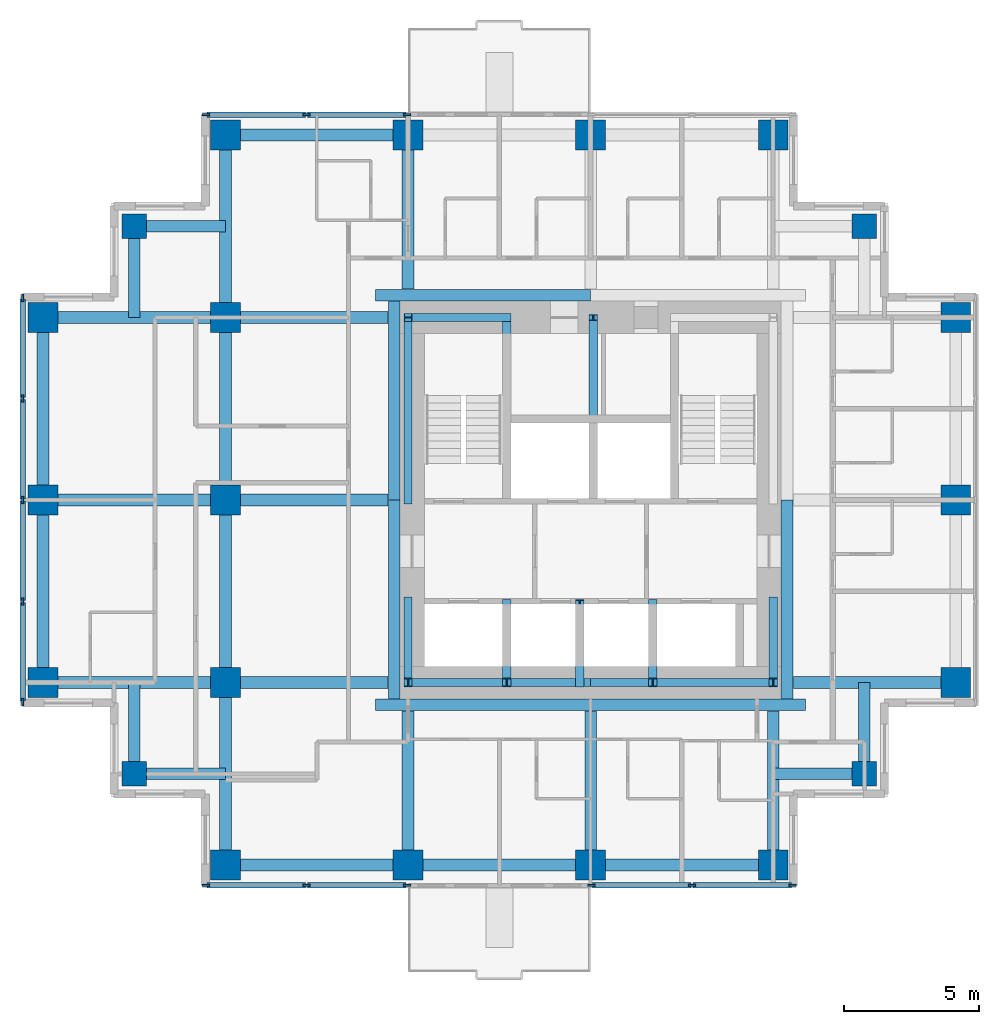
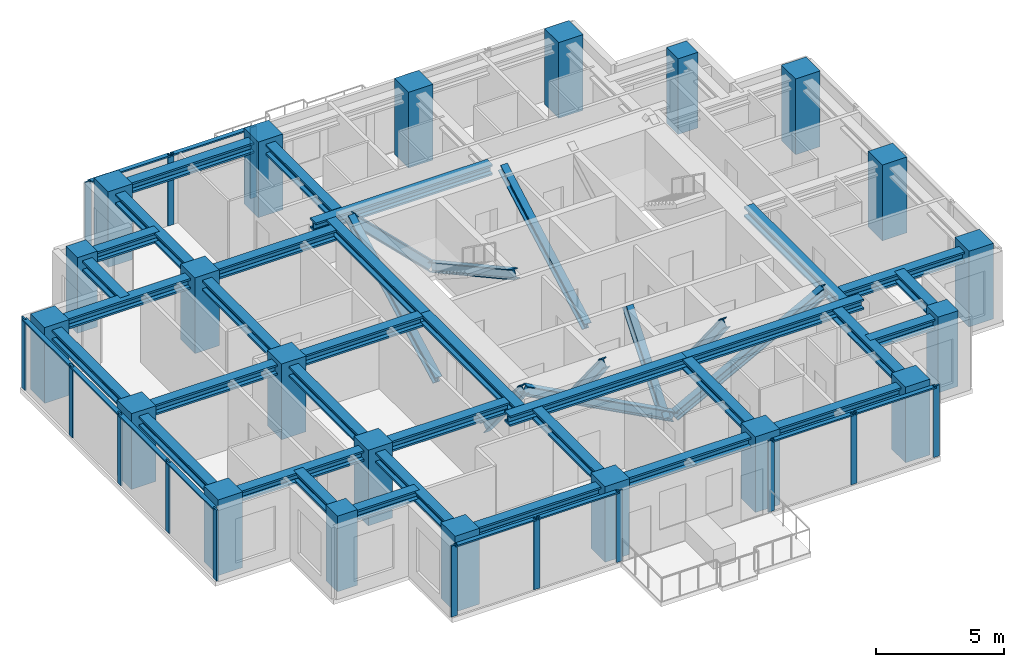
# One storey, part 1 of 8: 35 members, 33 beams, 21 columns, 4 elements without a shape of their own.
"""IFC4 building model written with IfcOpenShell, lengths in metres."""

from ifc_helpers import new_model, si_unit, direction, frame, origin, origin_2d, place, context, subcontext, project, spatial, rectangle, i_section, extrude, material, material_profile, profile_set, type_object, element, aggregate, save


model = new_model("IFC4")

# Units and contexts
model_context = context("Model", 3, precision=1e-05, world=origin(), true_north=direction((0.0, 1.0)))
body_context = subcontext(model_context, "Body", "Model", "MODEL_VIEW")
ifc_project = project(units=[si_unit("LENGTHUNIT", "METRE"), si_unit("AREAUNIT", "SQUARE_METRE"), si_unit("VOLUMEUNIT", "CUBIC_METRE"), si_unit("PLANEANGLEUNIT", "RADIAN"), si_unit("MASSUNIT", "GRAM", prefix="KILO")], contexts=[model_context])

# Site, building, storey
site_placement = place(None, origin())
site = spatial("IfcSite", under=ifc_project, at=site_placement, CompositionType="ELEMENT")
building_placement = place(site_placement, origin())
building = spatial("IfcBuilding", under=site, at=building_placement, Name="Nyansa Garden Tower", CompositionType="ELEMENT")
storey_placement = place(building_placement, frame((0.0, 0.0, 211.5)))
storey = spatial("IfcBuildingStorey", under=building, at=storey_placement, Name="L57", CompositionType="ELEMENT", Elevation=211.5)

# Columns
ifc_material_1 = material(Name="Concrete C70/85", Category="concrete")
ifc_material_profile_1 = material_profile(ifc_material_1, rectangle(XDim=1.10009765625, YDim=1.10009765625, at=origin_2d()), Name="RC 1100x1100")
ifc_profile_set_1 = profile_set([ifc_material_profile_1], Name="Concrete C70/85")
column_type_1 = type_object("IfcColumnType", Name="Column C110 RC 1100x1100", PredefinedType="COLUMN", material=ifc_profile_set_1)
for number, where, z_axis, x_axis, name in (
    (1, (0.0, 13.5, 0.0), (0.0, 0.0, 1.0), (1.0, 0.0, 0.0), "Column 2/F L57"),
    (2, (0.0, 20.25, 0.0), (0.0, 0.0, 1.0), (1.0, 0.0, 0.0), "Column 2/G L57"),
    (3, (0.0, 27.0, 0.0), (0.0, 0.0, 1.0), (1.0, 0.0, 0.0), "Column 2/H L57"),
    (4, (6.75, 6.75, 0.0), (0.0, 0.0, 1.0), (1.0, 0.0, 0.0), "Column 3/E L57"),
    (5, (6.75, 13.5, 0.0), (0.0, 0.0, 1.0), (1.0, 0.0, 0.0), "Column 3/F L57"),
    (6, (6.75, 20.25, 0.0), (0.0, 0.0, 1.0), (1.0, 0.0, 0.0), "Column 3/G L57"),
    (7, (6.75, 27.0, 0.0), (0.0, 0.0, 1.0), (1.0, 0.0, 0.0), "Column 3/H L57"),
    (8, (6.75, 33.75, 0.0), (0.0, 0.0, 1.0), (1.0, 0.0, 0.0), "Column 3/J L57"),
    (9, (13.5, 6.75, 0.0), (0.0, 0.0, 1.0), (1.0, 0.0, 0.0), "Column 4/E L57"),
    (10, (13.5, 33.75, 0.0), (0.0, 0.0, 1.0), (1.0, 0.0, 0.0), "Column 4/J L57"),
    (11, (20.25, 6.75, 0.0), (0.0, 0.0, 1.0), (1.0, 0.0, 0.0), "Column 5/E L57"),
    (12, (20.25, 33.75, 0.0), (0.0, 0.0, 1.0), (1.0, 0.0, 0.0), "Column 5/J L57"),
    (13, (27.0, 6.75, 0.0), (0.0, 0.0, 1.0), (1.0, 0.0, 0.0), "Column 6/E L57"),
    (14, (27.0, 33.75, 0.0), (0.0, 0.0, 1.0), (1.0, 0.0, 0.0), "Column 6/J L57"),
    (15, (33.75, 13.5, 0.0), (0.0, 0.0, 1.0), (1.0, 0.0, 0.0), "Column 7/F L57"),
    (16, (33.75, 20.25, 0.0), (0.0, 0.0, 1.0), (1.0, 0.0, 0.0), "Column 7/G L57"),
    (17, (33.75, 27.0, 0.0), (0.0, 0.0, 1.0), (1.0, 0.0, 0.0), "Column 7/H L57"),
):
    element("IfcColumn", number, at=place(storey_placement, frame(where, z_axis=z_axis, x_axis=x_axis)), inside=storey, type_object=column_type_1, Name=name, PredefinedType="COLUMN", context=body_context, shape_type="SweptSolid", body=[
        extrude(rectangle(XDim=1.10009765625, YDim=1.10009765625, at=origin_2d()), origin(), (0.0, 0.0, 1.0), 3.60009765625),
    ])
ifc_material_2 = material(Name="Concrete C70/85", Category="concrete")
ifc_material_profile_2 = material_profile(ifc_material_2, rectangle(XDim=0.89990234375, YDim=0.89990234375, at=origin_2d()), Name="RC 900x900")
ifc_profile_set_2 = profile_set([ifc_material_profile_2], Name="Concrete C70/85")
column_type_2 = type_object("IfcColumnType", Name="Column C90 RC 900x900", PredefinedType="COLUMN", material=ifc_profile_set_2)
for number, where, z_axis, x_axis, name in (
    (18, (3.375, 10.125, 0.0), (0.0, 0.0, 1.0), (1.0, 0.0, 0.0), "Column x3.375/y10.125 L57"),
    (19, (3.375, 30.375, 0.0), (0.0, 0.0, 1.0), (1.0, 0.0, 0.0), "Column x3.375/y30.375 L57"),
    (20, (30.375, 10.125, 0.0), (0.0, 0.0, 1.0), (1.0, 0.0, 0.0), "Column x30.375/y10.125 L57"),
    (21, (30.375, 30.375, 0.0), (0.0, 0.0, 1.0), (1.0, 0.0, 0.0), "Column x30.375/y30.375 L57"),
):
    element("IfcColumn", number, at=place(storey_placement, frame(where, z_axis=z_axis, x_axis=x_axis)), inside=storey, type_object=column_type_2, Name=name, PredefinedType="COLUMN", context=body_context, shape_type="SweptSolid", body=[
        extrude(rectangle(XDim=0.89990234375, YDim=0.89990234375, at=origin_2d()), origin(), (0.0, 0.0, 1.0), 3.60009765625),
    ])

# Curtain wall, members
ifc_material_3 = material(Name="Black anodised aluminium, dark tinted double glazing", Category="aluminium")
curtain_wall_type = type_object("IfcCurtainWallType", Name="Inner skin curtain wall ISW-D", PredefinedType="USERDEFINED", material=ifc_material_3)
curtain_wall_1_placement = place(storey_placement, origin())
curtain_wall_1 = element("IfcCurtainWall", 22, at=curtain_wall_1_placement, inside=storey, type_object=curtain_wall_type, Name="Inner skin curtain wall L57 N", ObjectType="UNITISED CURTAIN WALL", PredefinedType="USERDEFINED")
ifc_material_4 = material(Name="Black anodised aluminium", Category="aluminium")
ifc_material_profile_3 = material_profile(ifc_material_4, rectangle(XDim=0.070068359375, YDim=0.27490234375, at=origin_2d()), Name="Mullion 275x70")
ifc_profile_set_3 = profile_set([ifc_material_profile_3], Name="Black anodised aluminium")
member_type_1 = type_object("IfcMemberType", Name="Mullion ISW-D 275x70", PredefinedType="MULLION", material=ifc_profile_set_3)
member_1_placement = place(storey_placement, frame((13.465087890625, 34.5, 0.0), z_axis=(0.0, 0.0, 1.0), x_axis=(0.0, -1.0, 0.0)))
member_1 = element("IfcMember", 23, at=member_1_placement, type_object=member_type_1, Name="ISW-D mullion 1", PredefinedType="MULLION", context=body_context, shape_type="SweptSolid", body=[
    extrude(rectangle(XDim=0.070068359375, YDim=0.27490234375, at=origin_2d()), origin(), (0.0, 0.0, 1.0), 3.375),
])
member_2_placement = place(storey_placement, frame((9.75, 34.5, 0.0), z_axis=(0.0, 0.0, 1.0), x_axis=(0.0, -1.0, 0.0)))
member_2 = element("IfcMember", 24, at=member_2_placement, type_object=member_type_1, Name="ISW-D mullion 2", PredefinedType="MULLION", context=body_context, shape_type="SweptSolid", body=[
    extrude(rectangle(XDim=0.070068359375, YDim=0.27490234375, at=origin_2d()), origin(), (0.0, 0.0, 1.0), 3.375),
])
member_3_placement = place(storey_placement, frame((6.034912109375, 34.5, 0.0), z_axis=(0.0, 0.0, 1.0), x_axis=(0.0, -1.0, 0.0)))
member_3 = element("IfcMember", 25, at=member_3_placement, type_object=member_type_1, Name="ISW-D mullion 3", PredefinedType="MULLION", context=body_context, shape_type="SweptSolid", body=[
    extrude(rectangle(XDim=0.070068359375, YDim=0.27490234375, at=origin_2d()), origin(), (0.0, 0.0, 1.0), 3.375),
])

curtain_wall_2_placement = place(storey_placement, origin())
curtain_wall_2 = element("IfcCurtainWall", 26, at=curtain_wall_2_placement, inside=storey, type_object=curtain_wall_type, Name="Inner skin curtain wall L57 W", ObjectType="UNITISED CURTAIN WALL", PredefinedType="USERDEFINED")
member_4_placement = place(storey_placement, frame((-0.75, 27.715087890625, 0.0), z_axis=(0.0, 0.0, 1.0), x_axis=(1.0, 0.0, 0.0)))
member_4 = element("IfcMember", 27, at=member_4_placement, type_object=member_type_1, Name="ISW-D mullion 1", PredefinedType="MULLION", context=body_context, shape_type="SweptSolid", body=[
    extrude(rectangle(XDim=0.070068359375, YDim=0.27490234375, at=origin_2d()), origin(), (0.0, 0.0, 1.0), 3.375),
])
member_5_placement = place(storey_placement, frame((-0.75, 24.0, 0.0), z_axis=(0.0, 0.0, 1.0), x_axis=(1.0, 0.0, 0.0)))
member_5 = element("IfcMember", 28, at=member_5_placement, type_object=member_type_1, Name="ISW-D mullion 2", PredefinedType="MULLION", context=body_context, shape_type="SweptSolid", body=[
    extrude(rectangle(XDim=0.070068359375, YDim=0.27490234375, at=origin_2d()), origin(), (0.0, 0.0, 1.0), 3.375),
])
member_6_placement = place(storey_placement, frame((-0.75, 20.25, 0.0), z_axis=(0.0, 0.0, 1.0), x_axis=(1.0, 0.0, 0.0)))
member_6 = element("IfcMember", 29, at=member_6_placement, type_object=member_type_1, Name="ISW-D mullion 3", PredefinedType="MULLION", context=body_context, shape_type="SweptSolid", body=[
    extrude(rectangle(XDim=0.070068359375, YDim=0.27490234375, at=origin_2d()), origin(), (0.0, 0.0, 1.0), 3.375),
])
member_7_placement = place(storey_placement, frame((-0.75, 16.5, 0.0), z_axis=(0.0, 0.0, 1.0), x_axis=(1.0, 0.0, 0.0)))
member_7 = element("IfcMember", 30, at=member_7_placement, type_object=member_type_1, Name="ISW-D mullion 4", PredefinedType="MULLION", context=body_context, shape_type="SweptSolid", body=[
    extrude(rectangle(XDim=0.070068359375, YDim=0.27490234375, at=origin_2d()), origin(), (0.0, 0.0, 1.0), 3.375),
])
member_8_placement = place(storey_placement, frame((-0.75, 12.784912109375, 0.0), z_axis=(0.0, 0.0, 1.0), x_axis=(1.0, 0.0, 0.0)))
member_8 = element("IfcMember", 31, at=member_8_placement, type_object=member_type_1, Name="ISW-D mullion 5", PredefinedType="MULLION", context=body_context, shape_type="SweptSolid", body=[
    extrude(rectangle(XDim=0.070068359375, YDim=0.27490234375, at=origin_2d()), origin(), (0.0, 0.0, 1.0), 3.375),
])

curtain_wall_3_placement = place(storey_placement, origin())
curtain_wall_3 = element("IfcCurtainWall", 32, at=curtain_wall_3_placement, inside=storey, type_object=curtain_wall_type, Name="Inner skin curtain wall L57 S", ObjectType="UNITISED CURTAIN WALL", PredefinedType="USERDEFINED")
member_9_placement = place(storey_placement, frame((6.034912109375, 6.0, 0.0), z_axis=(0.0, 0.0, 1.0), x_axis=(0.0, 1.0, 0.0)))
member_9 = element("IfcMember", 33, at=member_9_placement, type_object=member_type_1, Name="ISW-D mullion 1", PredefinedType="MULLION", context=body_context, shape_type="SweptSolid", body=[
    extrude(rectangle(XDim=0.070068359375, YDim=0.27490234375, at=origin_2d()), origin(), (0.0, 0.0, 1.0), 3.375),
])
member_10_placement = place(storey_placement, frame((9.75, 6.0, 0.0), z_axis=(0.0, 0.0, 1.0), x_axis=(0.0, 1.0, 0.0)))
member_10 = element("IfcMember", 34, at=member_10_placement, type_object=member_type_1, Name="ISW-D mullion 2", PredefinedType="MULLION", context=body_context, shape_type="SweptSolid", body=[
    extrude(rectangle(XDim=0.070068359375, YDim=0.27490234375, at=origin_2d()), origin(), (0.0, 0.0, 1.0), 3.375),
])
member_11_placement = place(storey_placement, frame((13.465087890625, 6.0, 0.0), z_axis=(0.0, 0.0, 1.0), x_axis=(0.0, 1.0, 0.0)))
member_11 = element("IfcMember", 35, at=member_11_placement, type_object=member_type_1, Name="ISW-D mullion 3", PredefinedType="MULLION", context=body_context, shape_type="SweptSolid", body=[
    extrude(rectangle(XDim=0.070068359375, YDim=0.27490234375, at=origin_2d()), origin(), (0.0, 0.0, 1.0), 3.375),
])

curtain_wall_4_placement = place(storey_placement, origin())
curtain_wall_4 = element("IfcCurtainWall", 36, at=curtain_wall_4_placement, inside=storey, type_object=curtain_wall_type, Name="Inner skin curtain wall L57 S", ObjectType="UNITISED CURTAIN WALL", PredefinedType="USERDEFINED")
member_12_placement = place(storey_placement, frame((20.284912109375, 6.0, 0.0), z_axis=(0.0, 0.0, 1.0), x_axis=(0.0, 1.0, 0.0)))
member_12 = element("IfcMember", 37, at=member_12_placement, type_object=member_type_1, Name="ISW-D mullion 1", PredefinedType="MULLION", context=body_context, shape_type="SweptSolid", body=[
    extrude(rectangle(XDim=0.070068359375, YDim=0.27490234375, at=origin_2d()), origin(), (0.0, 0.0, 1.0), 3.375),
])
member_13_placement = place(storey_placement, frame((24.0, 6.0, 0.0), z_axis=(0.0, 0.0, 1.0), x_axis=(0.0, 1.0, 0.0)))
member_13 = element("IfcMember", 38, at=member_13_placement, type_object=member_type_1, Name="ISW-D mullion 2", PredefinedType="MULLION", context=body_context, shape_type="SweptSolid", body=[
    extrude(rectangle(XDim=0.070068359375, YDim=0.27490234375, at=origin_2d()), origin(), (0.0, 0.0, 1.0), 3.375),
])
member_14_placement = place(storey_placement, frame((27.715087890625, 6.0, 0.0), z_axis=(0.0, 0.0, 1.0), x_axis=(0.0, 1.0, 0.0)))
member_14 = element("IfcMember", 39, at=member_14_placement, type_object=member_type_1, Name="ISW-D mullion 3", PredefinedType="MULLION", context=body_context, shape_type="SweptSolid", body=[
    extrude(rectangle(XDim=0.070068359375, YDim=0.27490234375, at=origin_2d()), origin(), (0.0, 0.0, 1.0), 3.375),
])

# Members
ifc_material_5 = material(Name="Steel S355", Category="steel")
ifc_material_profile_4 = material_profile(ifc_material_5, i_section(OverallWidth=0.306884765625, OverallDepth=0.431884765625, WebThickness=0.02099609375, FlangeThickness=0.0400390625, FilletRadius=0.027099609375, at=origin_2d()), Name="HE 400 M")
ifc_profile_set_4 = profile_set([ifc_material_profile_4], Name="Steel S355")
member_type_2 = type_object("IfcMemberType", Name="Perimeter brace HE 400 M", PredefinedType="BRACE", material=ifc_profile_set_4)
for number, where, z_axis, x_axis, name in (
    (40, (20.25, 13.5, 0.0), (-0.882347640589, 0.0, 0.47059817376), (0.0, -1.0, 0.0), "Core brace CS1 L57"),
    (41, (20.25, 13.5, 0.0), (0.882347640589, 0.0, 0.47059817376), (0.0, 1.0, 0.0), "Core brace CS2 L57"),
):
    element("IfcMember", number, at=place(storey_placement, frame(where, z_axis=z_axis, x_axis=x_axis)), inside=storey, type_object=member_type_2, Name=name, PredefinedType="BRACE", context=body_context, shape_type="SweptSolid", body=[
        extrude(i_section(OverallWidth=0.306884765625, OverallDepth=0.431884765625, WebThickness=0.02099609375, FlangeThickness=0.0400390625, FilletRadius=0.027099609375, at=origin_2d()), origin(), (0.0, 0.0, 1.0), 7.650146484375),
    ])
member_15_placement = place(storey_placement, frame((17.14990234375, 27.0, 0.0), z_axis=(-0.711947531702, 0.0, 0.702232662373), x_axis=(0.0, -1.0, 0.0)))
element("IfcMember", 42, at=member_15_placement, inside=storey, type_object=member_type_2, Name="Core brace CN3 L57", PredefinedType="BRACE", context=body_context, shape_type="SweptSolid", body=[
    extrude(i_section(OverallWidth=0.306884765625, OverallDepth=0.431884765625, WebThickness=0.02099609375, FlangeThickness=0.0400390625, FilletRadius=0.027099609375, at=origin_2d()), origin(), (0.0, 0.0, 1.0), 5.126708984375),
])
member_16_placement = place(storey_placement, frame((13.5, 16.5, 0.0), z_axis=(0.0, -0.640174150918, 0.768229820104), x_axis=(1.0, 0.0, 0.0)))
element("IfcMember", 43, at=member_16_placement, inside=storey, type_object=member_type_2, Name="Core brace CW5 L57", PredefinedType="BRACE", context=body_context, shape_type="SweptSolid", body=[
    extrude(i_section(OverallWidth=0.306884765625, OverallDepth=0.431884765625, WebThickness=0.02099609375, FlangeThickness=0.0400390625, FilletRadius=0.027099609375, at=origin_2d()), origin(), (0.0, 0.0, 1.0), 4.686279296875),
])
member_17_placement = place(storey_placement, frame((13.5, 20.199951171875, 0.0), z_axis=(0.0, 0.883784057226, 0.467895009796), x_axis=(-1.0, 0.0, 0.0)))
element("IfcMember", 44, at=member_17_placement, inside=storey, type_object=member_type_2, Name="Core brace CW6 L57", PredefinedType="BRACE", context=body_context, shape_type="SweptSolid", body=[
    extrude(i_section(OverallWidth=0.306884765625, OverallDepth=0.431884765625, WebThickness=0.02099609375, FlangeThickness=0.0400390625, FilletRadius=0.027099609375, at=origin_2d()), origin(), (0.0, 0.0, 1.0), 7.6943359375),
])
member_18_placement = place(storey_placement, frame((27.0, 16.5, 0.0), z_axis=(0.0, -0.640174150918, 0.768229820104), x_axis=(1.0, 0.0, 0.0)))
element("IfcMember", 45, at=member_18_placement, inside=storey, type_object=member_type_2, Name="Core brace CE7 L57", PredefinedType="BRACE", context=body_context, shape_type="SweptSolid", body=[
    extrude(i_section(OverallWidth=0.306884765625, OverallDepth=0.431884765625, WebThickness=0.02099609375, FlangeThickness=0.0400390625, FilletRadius=0.027099609375, at=origin_2d()), origin(), (0.0, 0.0, 1.0), 4.686279296875),
])
member_19_placement = place(storey_placement, frame((17.14990234375, 27.0, 0.0), z_axis=(0.0, -0.876353113771, 0.481669201822), x_axis=(1.0, 0.0, 0.0)))
element("IfcMember", 46, at=member_19_placement, inside=storey, type_object=member_type_2, Name="Core brace CWS9 L57", PredefinedType="BRACE", context=body_context, shape_type="SweptSolid", body=[
    extrude(i_section(OverallWidth=0.306884765625, OverallDepth=0.431884765625, WebThickness=0.02099609375, FlangeThickness=0.0400390625, FilletRadius=0.027099609375, at=origin_2d()), origin(), (0.0, 0.0, 1.0), 7.47412109375),
])
for number, where, z_axis, x_axis, name in (
    (47, (17.14990234375, 16.39990234375, 0.0), (0.0, -0.627306405886, 0.778772542617), (1.0, 0.0, 0.0), "Core brace CSW11 L57"),
    (48, (19.85009765625, 13.5, 0.0), (0.0, 0.627306405886, 0.778772542617), (-1.0, 0.0, 0.0), "Core brace CSW12 L57"),
    (49, (22.550048828125, 16.39990234375, 0.0), (0.0, -0.627306405886, 0.778772542617), (1.0, 0.0, 0.0), "Core brace CSW13 L57"),
):
    element("IfcMember", number, at=place(storey_placement, frame(where, z_axis=z_axis, x_axis=x_axis)), inside=storey, type_object=member_type_2, Name=name, PredefinedType="BRACE", context=body_context, shape_type="SweptSolid", body=[
        extrude(i_section(OverallWidth=0.306884765625, OverallDepth=0.431884765625, WebThickness=0.02099609375, FlangeThickness=0.0400390625, FilletRadius=0.027099609375, at=origin_2d()), origin(), (0.0, 0.0, 1.0), 4.622802734375),
    ])
member_20_placement = place(storey_placement, frame((20.35009765625, 20.449951171875, 0.0), z_axis=(0.0, 0.876353113771, 0.481669201822), x_axis=(-1.0, 0.0, 0.0)))
element("IfcMember", 50, at=member_20_placement, inside=storey, type_object=member_type_2, Name="Core brace CNW14 L57", PredefinedType="BRACE", context=body_context, shape_type="SweptSolid", body=[
    extrude(i_section(OverallWidth=0.306884765625, OverallDepth=0.431884765625, WebThickness=0.02099609375, FlangeThickness=0.0400390625, FilletRadius=0.027099609375, at=origin_2d()), origin(), (0.0, 0.0, 1.0), 7.47412109375),
])

# Beams
ifc_material_6 = material(Name="Steel S355", Category="steel")
ifc_material_profile_5 = material_profile(ifc_material_6, i_section(OverallWidth=0.431884765625, OverallDepth=0.498046875, WebThickness=0.0556640625, FlangeThickness=0.0888671875, FilletRadius=0.014892578125, at=origin_2d()), Name="HD 400x744")
ifc_profile_set_5 = profile_set([ifc_material_profile_5], Name="Steel S355")
beam_type_1 = type_object("IfcBeamType", Name="Steel beam SBD1-744 HD 400x744", PredefinedType="BEAM", material=ifc_profile_set_5)
for number, where, z_axis, x_axis, name in (
    (51, (0.0, 13.5, 3.1259765625), (1.0, 0.0, 0.0), (0.0, 1.0, 0.0), "Steel beam 2/F-3/F L58"),
    (52, (0.0, 20.25, 3.1259765625), (1.0, 0.0, 0.0), (0.0, 1.0, 0.0), "Steel beam 2/G-3/G L58"),
    (53, (0.0, 27.0, 3.1259765625), (1.0, 0.0, 0.0), (0.0, 1.0, 0.0), "Steel beam 2/H-3/H L58"),
    (54, (6.75, 6.75, 3.1259765625), (0.0, 1.0, 0.0), (-1.0, 0.0, 0.0), "Steel beam 3/E-3/F L58"),
    (55, (6.75, 13.5, 3.1259765625), (0.0, 1.0, 0.0), (-1.0, 0.0, 0.0), "Steel beam 3/F-3/G L58"),
):
    element("IfcBeam", number, at=place(storey_placement, frame(where, z_axis=z_axis, x_axis=x_axis)), inside=storey, type_object=beam_type_1, Name=name, PredefinedType="BEAM", context=body_context, shape_type="SweptSolid", body=[
        extrude(i_section(OverallWidth=0.431884765625, OverallDepth=0.498046875, WebThickness=0.0556640625, FlangeThickness=0.0888671875, FilletRadius=0.014892578125, at=origin_2d()), origin(), (0.0, 0.0, 1.0), 6.75),
    ])
beam_1_placement = place(storey_placement, frame((6.75, 13.5, 3.1259765625), z_axis=(1.0, 0.0, 0.0), x_axis=(0.0, 1.0, 0.0)))
element("IfcBeam", 56, at=beam_1_placement, inside=storey, type_object=beam_type_1, Name="Steel beam 3/F-12.750/F L58", PredefinedType="BEAM", context=body_context, shape_type="SweptSolid", body=[
    extrude(i_section(OverallWidth=0.431884765625, OverallDepth=0.498046875, WebThickness=0.0556640625, FlangeThickness=0.0888671875, FilletRadius=0.014892578125, at=origin_2d()), origin(), (0.0, 0.0, 1.0), 6.0),
])
beam_2_placement = place(storey_placement, frame((6.75, 20.25, 3.1259765625), z_axis=(0.0, 1.0, 0.0), x_axis=(-1.0, 0.0, 0.0)))
element("IfcBeam", 57, at=beam_2_placement, inside=storey, type_object=beam_type_1, Name="Steel beam 3/G-3/H L58", PredefinedType="BEAM", context=body_context, shape_type="SweptSolid", body=[
    extrude(i_section(OverallWidth=0.431884765625, OverallDepth=0.498046875, WebThickness=0.0556640625, FlangeThickness=0.0888671875, FilletRadius=0.014892578125, at=origin_2d()), origin(), (0.0, 0.0, 1.0), 6.75),
])
beam_3_placement = place(storey_placement, frame((6.75, 20.25, 3.1259765625), z_axis=(1.0, 0.0, 0.0), x_axis=(0.0, 1.0, 0.0)))
element("IfcBeam", 58, at=beam_3_placement, inside=storey, type_object=beam_type_1, Name="Steel beam 3/G-12.750/G L58", PredefinedType="BEAM", context=body_context, shape_type="SweptSolid", body=[
    extrude(i_section(OverallWidth=0.431884765625, OverallDepth=0.498046875, WebThickness=0.0556640625, FlangeThickness=0.0888671875, FilletRadius=0.014892578125, at=origin_2d()), origin(), (0.0, 0.0, 1.0), 6.0),
])
beam_4_placement = place(storey_placement, frame((6.75, 27.0, 3.1259765625), z_axis=(0.0, 1.0, 0.0), x_axis=(-1.0, 0.0, 0.0)))
element("IfcBeam", 59, at=beam_4_placement, inside=storey, type_object=beam_type_1, Name="Steel beam 3/H-3/J L58", PredefinedType="BEAM", context=body_context, shape_type="SweptSolid", body=[
    extrude(i_section(OverallWidth=0.431884765625, OverallDepth=0.498046875, WebThickness=0.0556640625, FlangeThickness=0.0888671875, FilletRadius=0.014892578125, at=origin_2d()), origin(), (0.0, 0.0, 1.0), 6.75),
])
beam_5_placement = place(storey_placement, frame((6.75, 27.0, 3.1259765625), z_axis=(1.0, 0.0, 0.0), x_axis=(0.0, 1.0, 0.0)))
element("IfcBeam", 60, at=beam_5_placement, inside=storey, type_object=beam_type_1, Name="Steel beam 3/H-12.750/H L58", PredefinedType="BEAM", context=body_context, shape_type="SweptSolid", body=[
    extrude(i_section(OverallWidth=0.431884765625, OverallDepth=0.498046875, WebThickness=0.0556640625, FlangeThickness=0.0888671875, FilletRadius=0.014892578125, at=origin_2d()), origin(), (0.0, 0.0, 1.0), 6.0),
])
for number, where, z_axis, x_axis, name in (
    (61, (13.5, 6.75, 3.1259765625), (0.0, 1.0, 0.0), (-1.0, 0.0, 0.0), "Steel beam 4/E-4/12.450 L58"),
    (62, (13.5, 28.050048828125, 3.1259765625), (0.0, 1.0, 0.0), (-1.0, 0.0, 0.0), "Steel beam 4/28.050-4/J L58"),
    (63, (20.25, 6.75, 3.1259765625), (0.0, 1.0, 0.0), (-1.0, 0.0, 0.0), "Steel beam 5/E-5/12.450 L58"),
    (64, (27.0, 6.75, 3.1259765625), (0.0, 1.0, 0.0), (-1.0, 0.0, 0.0), "Steel beam 6/E-6/12.450 L58"),
):
    element("IfcBeam", number, at=place(storey_placement, frame(where, z_axis=z_axis, x_axis=x_axis)), inside=storey, type_object=beam_type_1, Name=name, PredefinedType="BEAM", context=body_context, shape_type="SweptSolid", body=[
        extrude(i_section(OverallWidth=0.431884765625, OverallDepth=0.498046875, WebThickness=0.0556640625, FlangeThickness=0.0888671875, FilletRadius=0.014892578125, at=origin_2d()), origin(), (0.0, 0.0, 1.0), 5.699951171875),
    ])
beam_6_placement = place(storey_placement, frame((27.75, 13.5, 3.1259765625), z_axis=(1.0, 0.0, 0.0), x_axis=(0.0, 1.0, 0.0)))
element("IfcBeam", 65, at=beam_6_placement, inside=storey, type_object=beam_type_1, Name="Steel beam 27.750/F-7/F L58", PredefinedType="BEAM", context=body_context, shape_type="SweptSolid", body=[
    extrude(i_section(OverallWidth=0.431884765625, OverallDepth=0.498046875, WebThickness=0.0556640625, FlangeThickness=0.0888671875, FilletRadius=0.014892578125, at=origin_2d()), origin(), (0.0, 0.0, 1.0), 6.0),
])
ifc_material_7 = material(Name="Steel S355", Category="steel")
ifc_material_profile_6 = material_profile(ifc_material_7, i_section(OverallWidth=0.431884765625, OverallDepth=0.498046875, WebThickness=0.0556640625, FlangeThickness=0.0888671875, FilletRadius=0.014892578125, at=origin_2d()), Name="HD 400x744")
ifc_profile_set_6 = profile_set([ifc_material_profile_6], Name="Steel S355")
beam_type_2 = type_object("IfcBeamType", Name="Steel beam SEBD-744 HD 400x744", PredefinedType="BEAM", material=ifc_profile_set_6)
for number, where, z_axis, x_axis, name in (
    (66, (0.0, 13.5, 3.1259765625), (0.0, 1.0, 0.0), (-1.0, 0.0, 0.0), "Steel edge beam 2/F-2/G L58"),
    (67, (0.0, 20.25, 3.1259765625), (0.0, 1.0, 0.0), (-1.0, 0.0, 0.0), "Steel edge beam 2/G-2/H L58"),
    (68, (6.75, 6.75, 3.1259765625), (1.0, 0.0, 0.0), (0.0, 1.0, 0.0), "Steel edge beam 3/E-4/E L58"),
    (69, (6.75, 33.75, 3.1259765625), (1.0, 0.0, 0.0), (0.0, 1.0, 0.0), "Steel edge beam 3/J-4/J L58"),
    (70, (13.5, 6.75, 3.1259765625), (1.0, 0.0, 0.0), (0.0, 1.0, 0.0), "Steel edge beam 4/E-5/E L58"),
    (71, (20.25, 6.75, 3.1259765625), (1.0, 0.0, 0.0), (0.0, 1.0, 0.0), "Steel edge beam 5/E-6/E L58"),
):
    element("IfcBeam", number, at=place(storey_placement, frame(where, z_axis=z_axis, x_axis=x_axis)), inside=storey, type_object=beam_type_2, Name=name, PredefinedType="BEAM", context=body_context, shape_type="SweptSolid", body=[
        extrude(i_section(OverallWidth=0.431884765625, OverallDepth=0.498046875, WebThickness=0.0556640625, FlangeThickness=0.0888671875, FilletRadius=0.014892578125, at=origin_2d()), origin(), (0.0, 0.0, 1.0), 6.75),
    ])
ifc_material_8 = material(Name="Steel S355", Category="steel")
ifc_material_profile_7 = material_profile(ifc_material_8, i_section(OverallWidth=0.431884765625, OverallDepth=0.498046875, WebThickness=0.0556640625, FlangeThickness=0.0888671875, FilletRadius=0.014892578125, at=origin_2d()), Name="HD 400x744")
ifc_profile_set_7 = profile_set([ifc_material_profile_7], Name="Steel S355")
beam_type_3 = type_object("IfcBeamType", Name="Steel beam SLB1-744 HD 400x744", PredefinedType="BEAM", material=ifc_profile_set_7)
for number, where, z_axis, x_axis, name in (
    (72, (12.300048828125, 12.68408203125, 3.1259765625), (1.0, 0.0, 0.0), (0.0, 1.0, 0.0), "Steel core ledger beam S.1 L58"),
    (73, (20.25, 12.68408203125, 3.1259765625), (1.0, 0.0, 0.0), (0.0, 1.0, 0.0), "Steel core ledger beam S.2 L58"),
):
    element("IfcBeam", number, at=place(storey_placement, frame(where, z_axis=z_axis, x_axis=x_axis)), inside=storey, type_object=beam_type_3, Name=name, PredefinedType="BEAM", context=body_context, shape_type="SweptSolid", body=[
        extrude(i_section(OverallWidth=0.431884765625, OverallDepth=0.498046875, WebThickness=0.0556640625, FlangeThickness=0.0888671875, FilletRadius=0.014892578125, at=origin_2d()), origin(), (0.0, 0.0, 1.0), 7.949951171875),
    ])
beam_7_placement = place(storey_placement, frame((27.51611328125, 12.89990234375, 3.1259765625), z_axis=(0.0, 1.0, 0.0), x_axis=(-1.0, 0.0, 0.0)))
element("IfcBeam", 74, at=beam_7_placement, inside=storey, type_object=beam_type_3, Name="Steel core ledger beam E.1 L58", PredefinedType="BEAM", context=body_context, shape_type="SweptSolid", body=[
    extrude(i_section(OverallWidth=0.431884765625, OverallDepth=0.498046875, WebThickness=0.0556640625, FlangeThickness=0.0888671875, FilletRadius=0.014892578125, at=origin_2d()), origin(), (0.0, 0.0, 1.0), 7.35009765625),
])
beam_8_placement = place(storey_placement, frame((20.25, 27.81591796875, 3.1259765625), z_axis=(-1.0, 0.0, 0.0), x_axis=(0.0, -1.0, 0.0)))
element("IfcBeam", 75, at=beam_8_placement, inside=storey, type_object=beam_type_3, Name="Steel core ledger beam N.2 L58", PredefinedType="BEAM", context=body_context, shape_type="SweptSolid", body=[
    extrude(i_section(OverallWidth=0.431884765625, OverallDepth=0.498046875, WebThickness=0.0556640625, FlangeThickness=0.0888671875, FilletRadius=0.014892578125, at=origin_2d()), origin(), (0.0, 0.0, 1.0), 7.949951171875),
])
for number, where, z_axis, x_axis, name in (
    (76, (12.98388671875, 27.60009765625, 3.1259765625), (0.0, -1.0, 0.0), (1.0, 0.0, 0.0), "Steel core ledger beam W.1 L58"),
    (77, (12.98388671875, 20.25, 3.1259765625), (0.0, -1.0, 0.0), (1.0, 0.0, 0.0), "Steel core ledger beam W.2 L58"),
):
    element("IfcBeam", number, at=place(storey_placement, frame(where, z_axis=z_axis, x_axis=x_axis)), inside=storey, type_object=beam_type_3, Name=name, PredefinedType="BEAM", context=body_context, shape_type="SweptSolid", body=[
        extrude(i_section(OverallWidth=0.431884765625, OverallDepth=0.498046875, WebThickness=0.0556640625, FlangeThickness=0.0888671875, FilletRadius=0.014892578125, at=origin_2d()), origin(), (0.0, 0.0, 1.0), 7.35009765625),
    ])
ifc_material_9 = material(Name="Steel S355", Category="steel")
ifc_material_profile_8 = material_profile(ifc_material_9, i_section(OverallWidth=0.431884765625, OverallDepth=0.498046875, WebThickness=0.0556640625, FlangeThickness=0.0888671875, FilletRadius=0.014892578125, at=origin_2d()), Name="HD 400x744")
ifc_profile_set_8 = profile_set([ifc_material_profile_8], Name="Steel S355")
beam_type_4 = type_object("IfcBeamType", Name="Steel beam SSB1-744 HD 400x744", PredefinedType="BEAM", material=ifc_profile_set_8)
for number, where, z_axis, x_axis, name in (
    (78, (3.375, 10.125, 3.1259765625), (0.0, 1.0, 0.0), (-1.0, 0.0, 0.0), "Steel step beam 3.375/10.125 L58"),
    (79, (3.375, 10.125, 3.1259765625), (1.0, 0.0, 0.0), (0.0, 1.0, 0.0), "Steel step beam 3.375/10.125 L58"),
    (80, (30.375, 10.125, 3.1259765625), (0.0, 1.0, 0.0), (-1.0, 0.0, 0.0), "Steel step beam 30.375/10.125 L58"),
    (81, (30.375, 10.125, 3.1259765625), (-1.0, 0.0, 0.0), (0.0, -1.0, 0.0), "Steel step beam 30.375/10.125 L58"),
    (82, (3.375, 30.375, 3.1259765625), (0.0, -1.0, 0.0), (1.0, 0.0, 0.0), "Steel step beam 3.375/30.375 L58"),
    (83, (3.375, 30.375, 3.1259765625), (1.0, 0.0, 0.0), (0.0, 1.0, 0.0), "Steel step beam 3.375/30.375 L58"),
):
    element("IfcBeam", number, at=place(storey_placement, frame(where, z_axis=z_axis, x_axis=x_axis)), inside=storey, type_object=beam_type_4, Name=name, PredefinedType="BEAM", context=body_context, shape_type="SweptSolid", body=[
        extrude(i_section(OverallWidth=0.431884765625, OverallDepth=0.498046875, WebThickness=0.0556640625, FlangeThickness=0.0888671875, FilletRadius=0.014892578125, at=origin_2d()), origin(), (0.0, 0.0, 1.0), 3.375),
    ])

# Member
ifc_material_10 = material(Name="Black anodised aluminium", Category="aluminium")
ifc_material_profile_9 = material_profile(ifc_material_10, rectangle(XDim=0.195068359375, YDim=0.070068359375, at=origin_2d()), Name="Transom 195x70")
ifc_profile_set_9 = profile_set([ifc_material_profile_9], Name="Black anodised aluminium")
member_type_3 = type_object("IfcMemberType", Name="Transom ISW-D 195x70", PredefinedType="USERDEFINED", material=ifc_profile_set_9)
member_21_placement = place(storey_placement, frame((13.429931640625, 34.5, 3.340087890625), z_axis=(-1.0, 0.0, 0.0), x_axis=(0.0, -1.0, 0.0)))
member_21 = element("IfcMember", 84, at=member_21_placement, type_object=member_type_3, Name="ISW-D transom 1", ObjectType="TRANSOM", PredefinedType="USERDEFINED", context=body_context, shape_type="SweptSolid", body=[
    extrude(rectangle(XDim=0.195068359375, YDim=0.070068359375, at=origin_2d()), origin(), (0.0, 0.0, 1.0), 3.64501953125),
])

member_22_placement = place(storey_placement, frame((9.715087890625, 34.5, 3.340087890625), z_axis=(-1.0, 0.0, 0.0), x_axis=(0.0, -1.0, 0.0)))
member_22 = element("IfcMember", 85, at=member_22_placement, type_object=member_type_3, Name="ISW-D transom 2", ObjectType="TRANSOM", PredefinedType="USERDEFINED", context=body_context, shape_type="SweptSolid", body=[
    extrude(rectangle(XDim=0.195068359375, YDim=0.070068359375, at=origin_2d()), origin(), (0.0, 0.0, 1.0), 3.64501953125),
])

aggregate(curtain_wall_1, [member_1, member_2, member_3, member_21, member_22])

member_23_placement = place(storey_placement, frame((-0.75, 27.679931640625, 3.340087890625), z_axis=(0.0, -1.0, 0.0), x_axis=(1.0, 0.0, 0.0)))
member_23 = element("IfcMember", 86, at=member_23_placement, type_object=member_type_3, Name="ISW-D transom 1", ObjectType="TRANSOM", PredefinedType="USERDEFINED", context=body_context, shape_type="SweptSolid", body=[
    extrude(rectangle(XDim=0.195068359375, YDim=0.070068359375, at=origin_2d()), origin(), (0.0, 0.0, 1.0), 3.64501953125),
])

member_24_placement = place(storey_placement, frame((-0.75, 23.965087890625, 3.340087890625), z_axis=(0.0, -1.0, 0.0), x_axis=(1.0, 0.0, 0.0)))
member_24 = element("IfcMember", 87, at=member_24_placement, type_object=member_type_3, Name="ISW-D transom 2", ObjectType="TRANSOM", PredefinedType="USERDEFINED", context=body_context, shape_type="SweptSolid", body=[
    extrude(rectangle(XDim=0.195068359375, YDim=0.070068359375, at=origin_2d()), origin(), (0.0, 0.0, 1.0), 3.68017578125),
])

member_25_placement = place(storey_placement, frame((-0.75, 20.215087890625, 3.340087890625), z_axis=(0.0, -1.0, 0.0), x_axis=(1.0, 0.0, 0.0)))
member_25 = element("IfcMember", 88, at=member_25_placement, type_object=member_type_3, Name="ISW-D transom 3", ObjectType="TRANSOM", PredefinedType="USERDEFINED", context=body_context, shape_type="SweptSolid", body=[
    extrude(rectangle(XDim=0.195068359375, YDim=0.070068359375, at=origin_2d()), origin(), (0.0, 0.0, 1.0), 3.68017578125),
])

member_26_placement = place(storey_placement, frame((-0.75, 16.465087890625, 3.340087890625), z_axis=(0.0, -1.0, 0.0), x_axis=(1.0, 0.0, 0.0)))
member_26 = element("IfcMember", 89, at=member_26_placement, type_object=member_type_3, Name="ISW-D transom 4", ObjectType="TRANSOM", PredefinedType="USERDEFINED", context=body_context, shape_type="SweptSolid", body=[
    extrude(rectangle(XDim=0.195068359375, YDim=0.070068359375, at=origin_2d()), origin(), (0.0, 0.0, 1.0), 3.64501953125),
])

aggregate(curtain_wall_2, [member_4, member_5, member_6, member_7, member_8, member_23, member_24, member_25, member_26])

member_27_placement = place(storey_placement, frame((6.070068359375, 6.0, 3.340087890625), z_axis=(1.0, 0.0, 0.0), x_axis=(0.0, 1.0, 0.0)))
member_27 = element("IfcMember", 90, at=member_27_placement, type_object=member_type_3, Name="ISW-D transom 1", ObjectType="TRANSOM", PredefinedType="USERDEFINED", context=body_context, shape_type="SweptSolid", body=[
    extrude(rectangle(XDim=0.195068359375, YDim=0.070068359375, at=origin_2d()), origin(), (0.0, 0.0, 1.0), 3.64501953125),
])

member_28_placement = place(storey_placement, frame((9.784912109375, 6.0, 3.340087890625), z_axis=(1.0, 0.0, 0.0), x_axis=(0.0, 1.0, 0.0)))
member_28 = element("IfcMember", 91, at=member_28_placement, type_object=member_type_3, Name="ISW-D transom 2", ObjectType="TRANSOM", PredefinedType="USERDEFINED", context=body_context, shape_type="SweptSolid", body=[
    extrude(rectangle(XDim=0.195068359375, YDim=0.070068359375, at=origin_2d()), origin(), (0.0, 0.0, 1.0), 3.64501953125),
])

aggregate(curtain_wall_3, [member_9, member_10, member_11, member_27, member_28])

member_29_placement = place(storey_placement, frame((20.320068359375, 6.0, 3.340087890625), z_axis=(1.0, 0.0, 0.0), x_axis=(0.0, 1.0, 0.0)))
member_29 = element("IfcMember", 92, at=member_29_placement, type_object=member_type_3, Name="ISW-D transom 1", ObjectType="TRANSOM", PredefinedType="USERDEFINED", context=body_context, shape_type="SweptSolid", body=[
    extrude(rectangle(XDim=0.195068359375, YDim=0.070068359375, at=origin_2d()), origin(), (0.0, 0.0, 1.0), 3.64501953125),
])

member_30_placement = place(storey_placement, frame((24.034912109375, 6.0, 3.340087890625), z_axis=(1.0, 0.0, 0.0), x_axis=(0.0, 1.0, 0.0)))
member_30 = element("IfcMember", 93, at=member_30_placement, type_object=member_type_3, Name="ISW-D transom 2", ObjectType="TRANSOM", PredefinedType="USERDEFINED", context=body_context, shape_type="SweptSolid", body=[
    extrude(rectangle(XDim=0.195068359375, YDim=0.070068359375, at=origin_2d()), origin(), (0.0, 0.0, 1.0), 3.64501953125),
])

aggregate(curtain_wall_4, [member_12, member_13, member_14, member_29, member_30])

save(model, "model.ifc")
